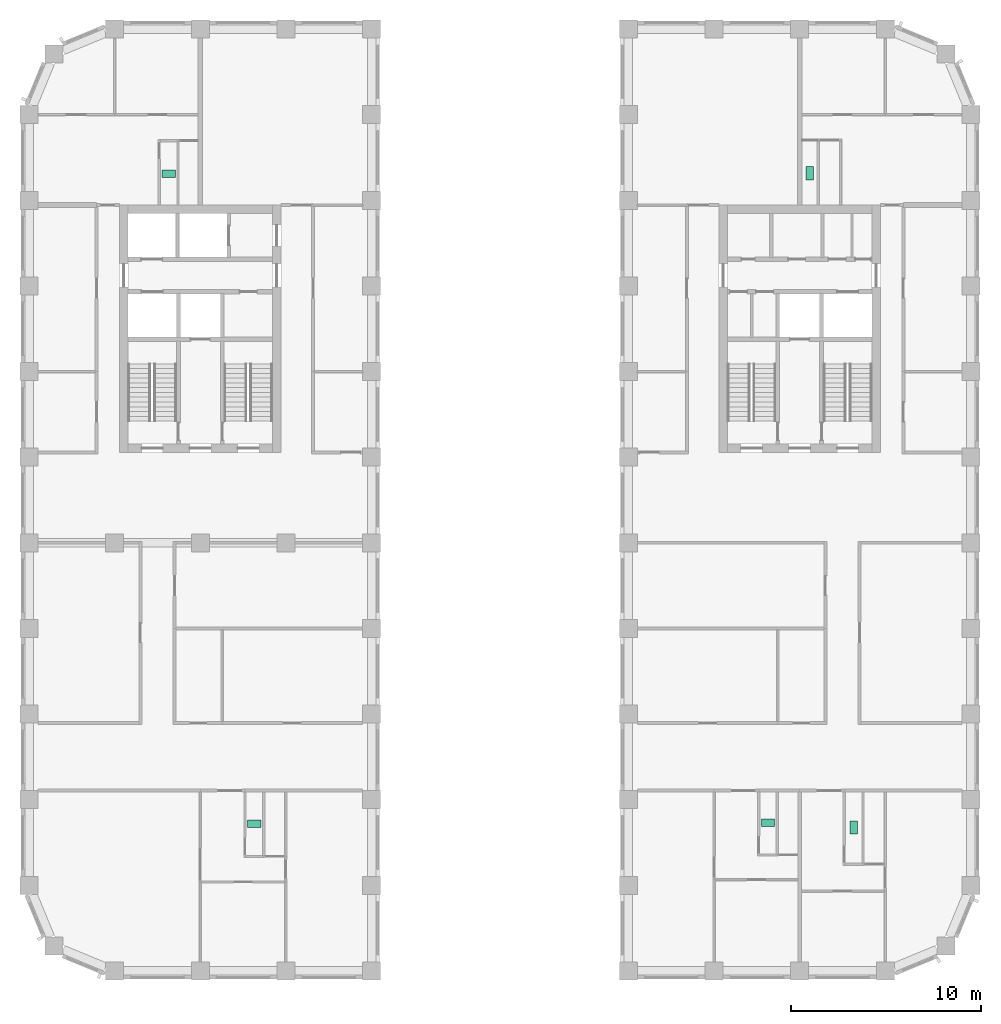
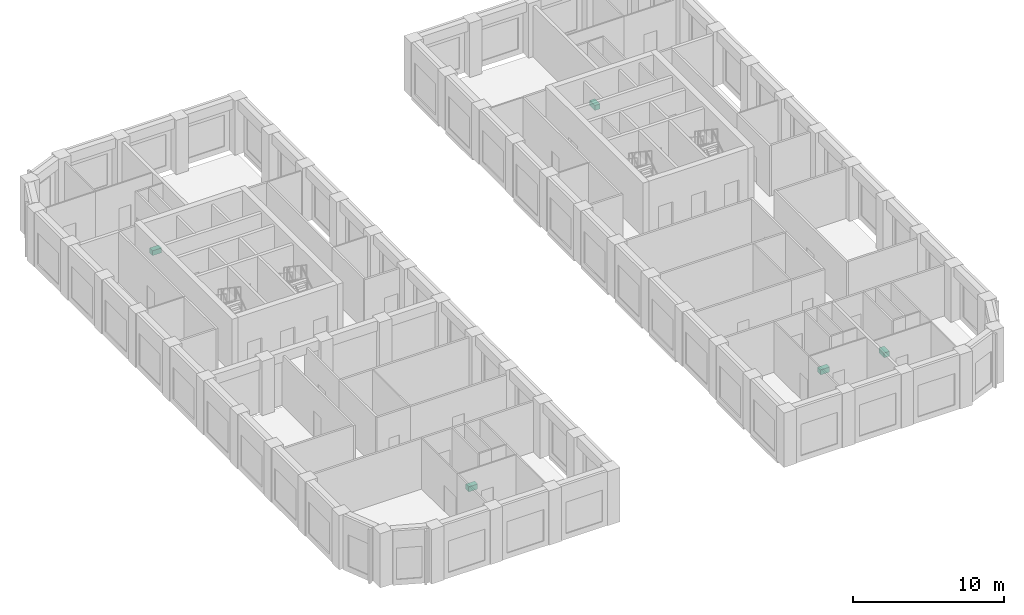
# One storey, part 13 of 13: 5 sanitary terminals.
"""IFC4 building model written with IfcOpenShell, lengths in metres."""

from ifc_helpers import new_model, si_unit, direction, frame, origin, origin_2d, place, context, subcontext, project, spatial, rectangle, extrude, material, type_object, element, save


model = new_model("IFC4")

# Units and contexts
model_context = context("Model", 3, precision=1e-05, world=origin(), true_north=direction((0.0, 1.0)))
body_context = subcontext(model_context, "Body", "Model", "MODEL_VIEW")
ifc_project = project(units=[si_unit("LENGTHUNIT", "METRE"), si_unit("AREAUNIT", "SQUARE_METRE"), si_unit("VOLUMEUNIT", "CUBIC_METRE"), si_unit("PLANEANGLEUNIT", "RADIAN"), si_unit("MASSUNIT", "GRAM", prefix="KILO")], contexts=[model_context])

# Site, building, storey
site_placement = place(None, origin())
site = spatial("IfcSite", under=ifc_project, at=site_placement, CompositionType="ELEMENT")
building_placement = place(site_placement, origin())
building = spatial("IfcBuilding", under=site, at=building_placement, Name="Girih Gate Residences", CompositionType="ELEMENT")
storey_placement = place(building_placement, frame((0.0, 0.0, 150.60009765625)))
storey = spatial("IfcBuildingStorey", under=building, at=storey_placement, Name="L42", CompositionType="ELEMENT", Elevation=150.60009765625)

# Sanitary terminals
ifc_material = material(Name="Vitreous china")
sanitary_terminal_type = type_object("IfcSanitaryTerminalType", Name="WC pan", PredefinedType="TOILETPAN", material=ifc_material)
for number, where, z_axis, x_axis, name in (
    (1, (11.837890625, 7.739013671875, 0.0), (0.0, 0.0, 1.0), (1.0, 0.0, 0.0), "WC pan L42"),
    (2, (7.337890625, 41.904052734375, 0.0), (0.0, 0.0, 1.0), (1.0, 0.0, 0.0), "WC pan L42"),
):
    element("IfcSanitaryTerminal", number, at=place(storey_placement, frame(where, z_axis=z_axis, x_axis=x_axis)), inside=storey, type_object=sanitary_terminal_type, Name=name, PredefinedType="TOILETPAN", context=body_context, shape_type="SweptSolid", body=[
        extrude(rectangle(XDim=0.699951171875, YDim=0.39990234375, at=origin_2d()), origin(), (0.0, 0.0, 1.0), 0.39990234375),
    ])
sanitary_terminal_1_placement = place(storey_placement, frame((43.337890625, 7.5390625, 0.0), z_axis=(0.0, 0.0, 1.0), x_axis=(1.0, 0.0, 0.0)))
element("IfcSanitaryTerminal", 3, at=sanitary_terminal_1_placement, inside=storey, type_object=sanitary_terminal_type, Name="WC pan L42", PredefinedType="TOILETPAN", context=body_context, shape_type="SweptSolid", body=[
    extrude(rectangle(XDim=0.39990234375, YDim=0.699951171875, at=origin_2d()), origin(), (0.0, 0.0, 1.0), 0.39990234375),
])
sanitary_terminal_2_placement = place(storey_placement, frame((38.837890625, 7.779052734375, 0.0), z_axis=(0.0, 0.0, 1.0), x_axis=(1.0, 0.0, 0.0)))
element("IfcSanitaryTerminal", 4, at=sanitary_terminal_2_placement, inside=storey, type_object=sanitary_terminal_type, Name="WC pan L42", PredefinedType="TOILETPAN", context=body_context, shape_type="SweptSolid", body=[
    extrude(rectangle(XDim=0.699951171875, YDim=0.39990234375, at=origin_2d()), origin(), (0.0, 0.0, 1.0), 0.39990234375),
])
sanitary_terminal_3_placement = place(storey_placement, frame((41.02001953125, 41.924072265625, 0.0), z_axis=(0.0, 0.0, 1.0), x_axis=(1.0, 0.0, 0.0)))
element("IfcSanitaryTerminal", 5, at=sanitary_terminal_3_placement, inside=storey, type_object=sanitary_terminal_type, Name="WC pan L42", PredefinedType="TOILETPAN", context=body_context, shape_type="SweptSolid", body=[
    extrude(rectangle(XDim=0.39990234375, YDim=0.699951171875, at=origin_2d()), origin(), (0.0, 0.0, 1.0), 0.39990234375),
])

save(model, "model.ifc")
